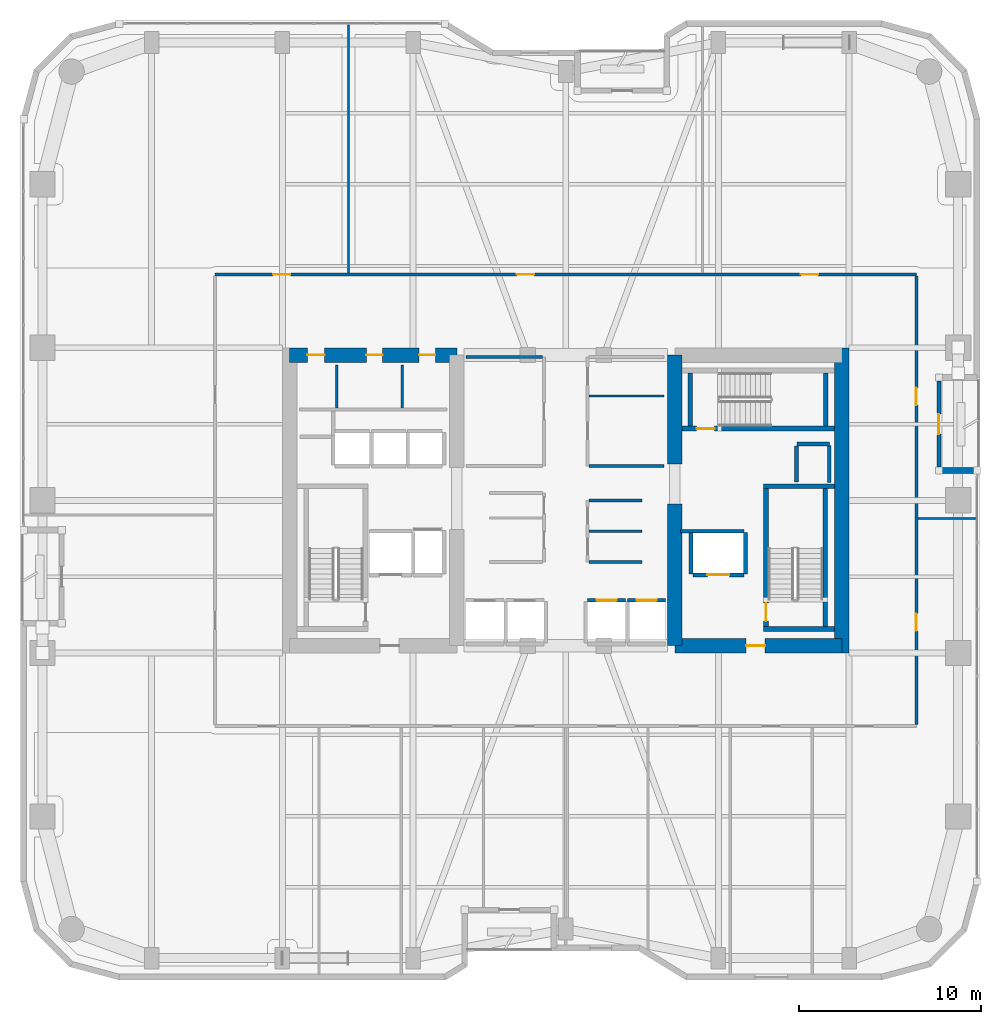
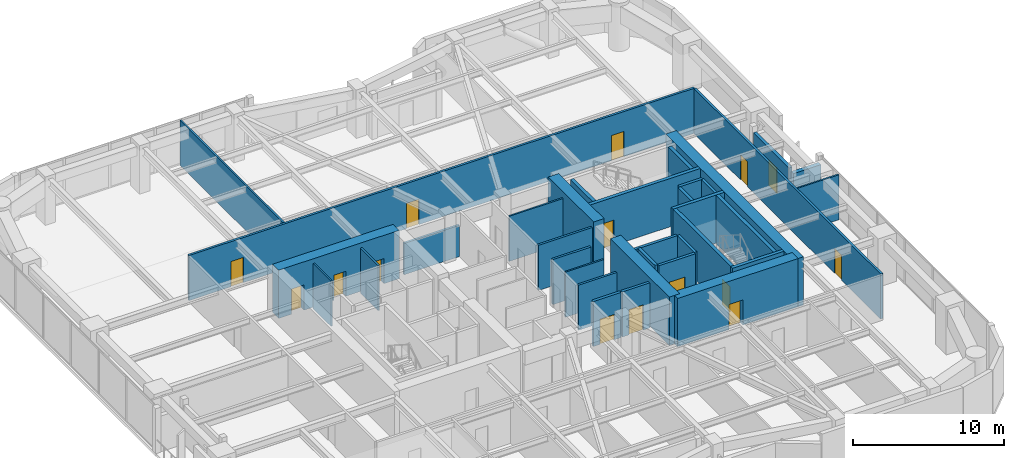
# One storey, part 20 of 24: 35 walls, 15 doors, 15 openings.
"""IFC4 building model written with IfcOpenShell, lengths in metres."""

from ifc_helpers import new_model, si_unit, direction, frame, frame_2d, origin, place, context, subcontext, project, spatial, rectangle, extrude, material, layer, layer_set, type_object, element, fill, save


model = new_model("IFC4")

# Units and contexts
model_context = context("Model", 3, precision=1e-05, world=origin(), true_north=direction((0.0, 1.0)))
body_context = subcontext(model_context, "Body", "Model", "MODEL_VIEW")
ifc_project = project(units=[si_unit("LENGTHUNIT", "METRE"), si_unit("AREAUNIT", "SQUARE_METRE"), si_unit("VOLUMEUNIT", "CUBIC_METRE"), si_unit("PLANEANGLEUNIT", "RADIAN"), si_unit("MASSUNIT", "GRAM", prefix="KILO")], contexts=[model_context])

# Site, building, storey
site_placement = place(None, origin())
site = spatial("IfcSite", under=ifc_project, at=site_placement, CompositionType="ELEMENT")
building_placement = place(site_placement, origin())
building = spatial("IfcBuilding", under=site, at=building_placement, Name="Kiyonajd Concourse Tower", CompositionType="ELEMENT")
storey_placement = place(building_placement, frame((0.0, 0.0, 113.10009765625)))
storey = spatial("IfcBuildingStorey", under=building, at=storey_placement, Name="L29", CompositionType="ELEMENT", Elevation=113.10009765625)

# Wall, openings, doors
ifc_material_1 = material(Name="Concrete C70/85", Category="concrete")
ifc_layer_1 = layer(ifc_material_1, 0.800048828125)
ifc_layer_set_1 = layer_set([ifc_layer_1], Name="Concrete C70/85")
wall_type_1 = type_object("IfcWallType", Name="WL-CORE-800", PredefinedType="SHEAR", material=ifc_layer_set_1)
wall_1_placement = place(storey_placement, frame((32.800048828125, 44.0, 0.0), z_axis=(0.0, 0.0, 1.0), x_axis=(1.0, 0.0, 0.0)))
wall_1 = element("IfcWall", 1, at=wall_1_placement, inside=storey, type_object=wall_type_1, Name="L29 West Core North Shear Wall", PredefinedType="SHEAR", context=body_context, shape_type="SweptSolid", body=[
    extrude(rectangle(XDim=9.199951171875, YDim=0.800048828125, at=frame_2d((4.60009765625, 0.0))), origin(), (0.0, 0.0, 1.0), 3.89990234375),
])
opening_1_placement = place(wall_1_placement, frame((0.97509765625, 0.0, 0.0)))
opening_1 = element("IfcOpeningElement", 2, at=opening_1_placement, cuts=wall_1, Name="Opening DI1", PredefinedType="OPENING", context=body_context, shape_type="SweptSolid", body=[
    extrude(rectangle(XDim=0.949951171875, YDim=2.0400390625, at=frame_2d((0.47509765625, 1.02001953125))), frame((0.0, 0.409912109375, 0.0), z_axis=(0.0, -1.0, 0.0), x_axis=(1.0, 0.0, 0.0)), (0.0, 0.0, 1.0), 0.820068359375),
])
opening_2_placement = place(wall_1_placement, frame((4.22509765625, 0.0, 0.0)))
opening_2 = element("IfcOpeningElement", 3, at=opening_2_placement, cuts=wall_1, Name="Opening DI2", PredefinedType="OPENING", context=body_context, shape_type="SweptSolid", body=[
    extrude(rectangle(XDim=0.89990234375, YDim=2.02001953125, at=frame_2d((0.449951171875, 1.010009765625))), frame((0.0, 0.409912109375, 0.0), z_axis=(0.0, -1.0, 0.0), x_axis=(1.0, 0.0, 0.0)), (0.0, 0.0, 1.0), 0.820068359375),
])
opening_3_placement = place(wall_1_placement, frame((7.125, 0.0, 0.0)))
opening_3 = element("IfcOpeningElement", 4, at=opening_3_placement, cuts=wall_1, Name="Opening DI2", PredefinedType="OPENING", context=body_context, shape_type="SweptSolid", body=[
    extrude(rectangle(XDim=0.89990234375, YDim=2.02001953125, at=frame_2d((0.449951171875, 1.010009765625))), frame((0.0, 0.409912109375, 0.0), z_axis=(0.0, -1.0, 0.0), x_axis=(1.0, 0.0, 0.0)), (0.0, 0.0, 1.0), 0.820068359375),
])
ifc_material_2 = material(Name="Natural Oak Acoustic Timber Veneer", Category="wood")
door_type_1 = type_object("IfcDoorType", Name="DR-INT-900", OperationType="NOTDEFINED", PredefinedType="DOOR", material=ifc_material_2)
door_1_placement = place(opening_2_placement, origin())
door_1 = element("IfcDoor", 5, at=door_1_placement, inside=storey, type_object=door_type_1, Name="L29 Male Restroom Door", OperationType="SINGLE_SWING_RIGHT", OverallHeight=2.02001953125, OverallWidth=0.89990234375, PredefinedType="DOOR", context=body_context, shape_type="SweptSolid", body=[
    extrude(rectangle(XDim=0.89990234375, YDim=2.02001953125, at=frame_2d((0.449951171875, 1.010009765625))), frame((0.0, 0.02490234375, 0.0), z_axis=(0.0, -1.0, 0.0), x_axis=(1.0, 0.0, 0.0)), (0.0, 0.0, 1.0), 0.050048828125),
])
fill(opening_2, door_1)
door_2_placement = place(opening_3_placement, origin())
door_2 = element("IfcDoor", 6, at=door_2_placement, inside=storey, type_object=door_type_1, Name="L29 Female Restroom Door", OperationType="SINGLE_SWING_LEFT", OverallHeight=2.02001953125, OverallWidth=0.89990234375, PredefinedType="DOOR", context=body_context, shape_type="SweptSolid", body=[
    extrude(rectangle(XDim=0.89990234375, YDim=2.02001953125, at=frame_2d((0.449951171875, 1.010009765625))), frame((0.0, 0.02490234375, 0.0), z_axis=(0.0, -1.0, 0.0), x_axis=(1.0, 0.0, 0.0)), (0.0, 0.0, 1.0), 0.050048828125),
])
fill(opening_3, door_2)
door_type_2 = type_object("IfcDoorType", Name="DR-INT-950", OperationType="NOTDEFINED", PredefinedType="DOOR", material=ifc_material_2)
door_3_placement = place(opening_1_placement, origin())
door_3 = element("IfcDoor", 7, at=door_3_placement, inside=storey, type_object=door_type_2, Name="L29 Single User Accessible WC Door", OperationType="SINGLE_SWING_LEFT", OverallHeight=2.0400390625, OverallWidth=0.949951171875, PredefinedType="DOOR", context=body_context, shape_type="SweptSolid", body=[
    extrude(rectangle(XDim=0.949951171875, YDim=2.0400390625, at=frame_2d((0.47509765625, 1.02001953125))), frame((0.0, 0.02490234375, 0.0), z_axis=(0.0, -1.0, 0.0), x_axis=(1.0, 0.0, 0.0)), (0.0, 0.0, 1.0), 0.050048828125),
])
fill(opening_1, door_3)

# Walls
wall_2_placement = place(storey_placement, frame((54.0, 28.0, 0.0), z_axis=(0.0, 0.0, 1.0), x_axis=(0.0, 1.0, 0.0)))
element("IfcWall", 8, at=wall_2_placement, inside=storey, type_object=wall_type_1, Name="L29 East Core Inner South Shear Wall", PredefinedType="SHEAR", context=body_context, shape_type="SweptSolid", body=[
    extrude(rectangle(XDim=7.800048828125, YDim=0.800048828125, at=frame_2d((3.89990234375, 0.0))), origin(), (0.0, 0.0, 1.0), 3.89990234375),
])
wall_3_placement = place(storey_placement, frame((54.0, 38.0, 0.0), z_axis=(0.0, 0.0, 1.0), x_axis=(0.0, 1.0, 0.0)))
element("IfcWall", 9, at=wall_3_placement, inside=storey, type_object=wall_type_1, Name="L29 East Core Inner North Shear Wall", PredefinedType="SHEAR", context=body_context, shape_type="SweptSolid", body=[
    extrude(rectangle(XDim=6.0, YDim=0.800048828125, at=frame_2d((3.0, 0.0))), origin(), (0.0, 0.0, 1.0), 3.89990234375),
])
wall_4_placement = place(storey_placement, frame((63.199951171875, 27.60009765625, 0.0), z_axis=(0.0, 0.0, 1.0), x_axis=(0.0, 1.0, 0.0)))
element("IfcWall", 10, at=wall_4_placement, inside=storey, type_object=wall_type_1, Name="L29 East Core Outer Shear Wall", PredefinedType="SHEAR", context=body_context, shape_type="SweptSolid", body=[
    extrude(rectangle(XDim=16.7998046875, YDim=0.800048828125, at=frame_2d((8.39990234375, 0.0))), origin(), (0.0, 0.0, 1.0), 3.89990234375),
])

# Wall, opening, door
wall_5_placement = place(storey_placement, frame((54.0, 28.0, 0.0), z_axis=(0.0, 0.0, 1.0), x_axis=(1.0, 0.0, 0.0)))
wall_5 = element("IfcWall", 11, at=wall_5_placement, inside=storey, type_object=wall_type_1, Name="L29 East Core South Shear Wall", PredefinedType="SHEAR", context=body_context, shape_type="SweptSolid", body=[
    extrude(rectangle(XDim=9.199951171875, YDim=0.800048828125, at=frame_2d((4.60009765625, 0.0))), origin(), (0.0, 0.0, 1.0), 3.89990234375),
])
opening_4_placement = place(wall_5_placement, frame((3.925048828125, 0.0, 0.0)))
opening_4 = element("IfcOpeningElement", 12, at=opening_4_placement, cuts=wall_5, Name="Opening DF5", PredefinedType="OPENING", context=body_context, shape_type="SweptSolid", body=[
    extrude(rectangle(XDim=1.050048828125, YDim=2.0400390625, at=frame_2d((0.52490234375, 1.02001953125))), frame((0.0, 0.409912109375, 0.0), z_axis=(0.0, -1.0, 0.0), x_axis=(1.0, 0.0, 0.0)), (0.0, 0.0, 1.0), 0.820068359375),
])
ifc_material_3 = material(Name="Brushed Stainless Steel Cab Assembly", Category="steel")
door_type_3 = type_object("IfcDoorType", Name="DR-FD45-1050", OperationType="NOTDEFINED", PredefinedType="DOOR", material=ifc_material_3)
door_4_placement = place(opening_4_placement, origin())
door_4 = element("IfcDoor", 13, at=door_4_placement, inside=storey, type_object=door_type_3, Name="L29 Firefighting Lift Lobby E Smoke Door", OperationType="SINGLE_SWING_RIGHT", OverallHeight=2.0400390625, OverallWidth=1.050048828125, PredefinedType="DOOR", context=body_context, shape_type="SweptSolid", body=[
    extrude(rectangle(XDim=1.050048828125, YDim=2.0400390625, at=frame_2d((0.52490234375, 1.02001953125))), frame((0.0, 0.02490234375, 0.0), z_axis=(0.0, -1.0, 0.0), x_axis=(1.0, 0.0, 0.0)), (0.0, 0.0, 1.0), 0.050048828125),
])
fill(opening_4, door_4)

# Wall
ifc_material_4 = material(Name="Precast concrete C50/60", Category="concrete")
ifc_layer_2 = layer(ifc_material_4, 0.320068359375)
ifc_layer_set_2 = layer_set([ifc_layer_2], Name="Precast concrete C50/60")
wall_type_2 = type_object("IfcWallType", Name="WL-EXT-320", PredefinedType="SOLIDWALL", material=ifc_layer_set_2)
wall_6_placement = place(storey_placement, frame((68.5400390625, 37.639892578125, 0.0), z_axis=(0.0, 0.0, 1.0), x_axis=(1.0, 0.0, 0.0)))
element("IfcWall", 14, at=wall_6_placement, inside=storey, type_object=wall_type_2, Name="L29 Exterior Concrete Frame Wall 23", PredefinedType="SOLIDWALL", context=body_context, shape_type="SweptSolid", body=[
    extrude(rectangle(XDim=2.099853515625, YDim=0.320068359375, at=frame_2d((1.0498046875, 0.0))), origin(), (0.0, 0.0, 1.0), 2.875),
])

# Wall, opening, door
ifc_layer_3 = layer(ifc_material_4, 0.239990234375)
ifc_layer_set_3 = layer_set([ifc_layer_3], Name="Precast concrete C50/60")
wall_type_3 = type_object("IfcWallType", Name="WL-LOG-240", PredefinedType="SOLIDWALL", material=ifc_layer_set_3)
wall_7_placement = place(storey_placement, frame((68.5400390625, 42.56494140625, 0.0), z_axis=(0.0, 0.0, 1.0), x_axis=(0.0, -1.0, 0.0)))
wall_7 = element("IfcWall", 15, at=wall_7_placement, inside=storey, type_object=wall_type_3, Name="L29 Recessed Loggia Thermal Wall LOG-E", PredefinedType="SOLIDWALL", context=body_context, shape_type="SweptSolid", body=[
    extrude(rectangle(XDim=4.72998046875, YDim=0.239990234375, at=frame_2d((2.364990234375, 0.0))), origin(), (0.0, 0.0, 1.0), 3.161865234375),
])
opening_5_placement = place(wall_7_placement, frame((1.81494140625, 0.0, 0.0)))
opening_5 = element("IfcOpeningElement", 16, at=opening_5_placement, cuts=wall_7, Name="Opening DL2", PredefinedType="OPENING", context=body_context, shape_type="SweptSolid", body=[
    extrude(rectangle(XDim=1.10009765625, YDim=2.0400390625, at=frame_2d((0.550048828125, 1.02001953125))), frame((0.0, 0.1298828125, 0.0), z_axis=(0.0, -1.0, 0.0), x_axis=(1.0, 0.0, 0.0)), (0.0, 0.0, 1.0), 0.260009765625),
])
ifc_material_5 = material(Name="Thermally Broken Anodised Aluminium", Category="aluminium")
door_type_4 = type_object("IfcDoorType", Name="DR-LOG-1100", OperationType="NOTDEFINED", PredefinedType="DOOR", material=ifc_material_5)
door_5_placement = place(opening_5_placement, origin())
door_5 = element("IfcDoor", 17, at=door_5_placement, inside=storey, type_object=door_type_4, Name="L29 Engawa Loggia Access Door LOG-E", OperationType="SINGLE_SWING_LEFT", OverallHeight=2.0400390625, OverallWidth=1.10009765625, PredefinedType="DOOR", context=body_context, shape_type="SweptSolid", body=[
    extrude(rectangle(XDim=1.10009765625, YDim=2.0400390625, at=frame_2d((0.550048828125, 1.02001953125))), frame((0.0, 0.02490234375, 0.0), z_axis=(0.0, -1.0, 0.0), x_axis=(1.0, 0.0, 0.0)), (0.0, 0.0, 1.0), 0.050048828125),
])
fill(opening_5, door_5)

# Walls
ifc_material_6 = material(Name="Gypsum Board on Cold-Formed Steel Stud", Category="steel")
ifc_layer_4 = layer(ifc_material_6, 0.125)
ifc_layer_set_4 = layer_set([ifc_layer_4], Name="Gypsum Board on Cold-Formed Steel Stud")
wall_type_4 = type_object("IfcWallType", Name="WL-PART-125", PredefinedType="PARTITIONING", material=ifc_layer_set_4)
for number, where, z_axis, x_axis, name in (
    (18, (35.39990234375, 41.094970703125, 0.0), (0.0, 0.0, 1.0), (0.0, 1.0, 0.0), "L29 Interior Partition Wall"),
    (19, (39.0, 41.094970703125, 0.0), (0.0, 0.0, 1.0), (0.0, 1.0, 0.0), "L29 Interior Partition Wall"),
):
    element("IfcWall", number, at=place(storey_placement, frame(where, z_axis=z_axis, x_axis=x_axis)), inside=storey, type_object=wall_type_4, Name=name, PredefinedType="PARTITIONING", context=body_context, shape_type="SweptSolid", body=[
        extrude(rectangle(XDim=2.35498046875, YDim=0.125, at=frame_2d((1.177490234375, 0.0))), origin(), (0.0, 0.0, 1.0), 3.639892578125),
    ])
wall_8_placement = place(storey_placement, frame((49.287109375, 34.300048828125, 0.0), z_axis=(0.0, 0.0, 1.0), x_axis=(1.0, 0.0, 0.0)))
element("IfcWall", 20, at=wall_8_placement, inside=storey, type_object=wall_type_4, Name="L29 Interior Partition Wall", PredefinedType="PARTITIONING", context=body_context, shape_type="SweptSolid", body=[
    extrude(rectangle(XDim=2.912841796875, YDim=0.125, at=frame_2d((1.45654296875, 0.0))), origin(), (0.0, 0.0, 1.0), 3.639892578125),
])
wall_9_placement = place(storey_placement, frame((49.287109375, 41.739990234375, 0.0), z_axis=(0.0, 0.0, 1.0), x_axis=(1.0, 0.0, 0.0)))
element("IfcWall", 21, at=wall_9_placement, inside=storey, type_object=wall_type_4, Name="L29 Interior Partition Wall", PredefinedType="PARTITIONING", context=body_context, shape_type="SweptSolid", body=[
    extrude(rectangle(XDim=4.11279296875, YDim=0.125, at=frame_2d((2.056396484375, 0.0))), origin(), (0.0, 0.0, 1.0), 3.639892578125),
])
wall_10_placement = place(storey_placement, frame((36.0400390625, 48.51708984375, 0.0), z_axis=(0.0, 0.0, 1.0), x_axis=(0.0, 1.0, 0.0)))
element("IfcWall", 22, at=wall_10_placement, inside=storey, type_object=wall_type_4, Name="L29 Interior Partition Wall", PredefinedType="PARTITIONING", context=body_context, shape_type="SweptSolid", body=[
    extrude(rectangle(XDim=13.637939453125, YDim=0.125, at=frame_2d((6.81884765625, 0.0))), origin(), (0.0, 0.0, 1.0), 3.639892578125),
])
wall_11_placement = place(storey_placement, frame((67.386962890625, 35.0, 0.0), z_axis=(0.0, 0.0, 1.0), x_axis=(1.0, 0.0, 0.0)))
element("IfcWall", 23, at=wall_11_placement, inside=storey, type_object=wall_type_4, Name="L29 Interior Partition Wall", PredefinedType="PARTITIONING", context=body_context, shape_type="SweptSolid", body=[
    extrude(rectangle(XDim=3.16796875, YDim=0.125, at=frame_2d((1.583984375, 0.0))), origin(), (0.0, 0.0, 1.0), 3.639892578125),
])
ifc_layer_5 = layer(ifc_material_6, 0.2099609375)
ifc_layer_set_5 = layer_set([ifc_layer_5], Name="Gypsum Board on Cold-Formed Steel Stud")
wall_type_5 = type_object("IfcWallType", Name="WL-SHAFT-210", PredefinedType="PARTITIONING", material=ifc_layer_set_5)
wall_12_placement = place(storey_placement, frame((60.719970703125, 39.10009765625, 0.0), z_axis=(0.0, 0.0, 1.0), x_axis=(1.0, 0.0, 0.0)))
element("IfcWall", 24, at=wall_12_placement, inside=storey, type_object=wall_type_5, Name="L29 Shaft Enclosure Wall", PredefinedType="PARTITIONING", context=body_context, shape_type="SweptSolid", body=[
    extrude(rectangle(XDim=1.800048828125, YDim=0.2099609375, at=frame_2d((0.89990234375, 0.0))), origin(), (0.0, 0.0, 1.0), 3.639892578125),
])
wall_13_placement = place(storey_placement, frame((60.699951171875, 37.02001953125, 0.0), z_axis=(0.0, 0.0, 1.0), x_axis=(0.0, 1.0, 0.0)))
element("IfcWall", 25, at=wall_13_placement, inside=storey, type_object=wall_type_5, Name="L29 Shaft Enclosure Wall", PredefinedType="PARTITIONING", context=body_context, shape_type="SweptSolid", body=[
    extrude(rectangle(XDim=1.9599609375, YDim=0.2099609375, at=frame_2d((0.97998046875, 0.0))), origin(), (0.0, 0.0, 1.0), 3.639892578125),
])
wall_14_placement = place(storey_placement, frame((62.5, 36.97998046875, 0.0), z_axis=(0.0, 0.0, 1.0), x_axis=(0.0, 1.0, 0.0)))
element("IfcWall", 26, at=wall_14_placement, inside=storey, type_object=wall_type_5, Name="L29 Shaft Enclosure Wall", PredefinedType="PARTITIONING", context=body_context, shape_type="SweptSolid", body=[
    extrude(rectangle(XDim=2.0400390625, YDim=0.2099609375, at=frame_2d((1.02001953125, 0.0))), origin(), (0.0, 0.0, 1.0), 3.639892578125),
])

# Wall, opening, door
wall_15_placement = place(storey_placement, frame((55.0, 31.89990234375, 0.0), z_axis=(0.0, 0.0, 1.0), x_axis=(1.0, 0.0, 0.0)))
wall_15 = element("IfcWall", 27, at=wall_15_placement, inside=storey, type_object=wall_type_5, Name="L29 Shaft Enclosure Wall", PredefinedType="PARTITIONING", context=body_context, shape_type="SweptSolid", body=[
    extrude(rectangle(XDim=2.800048828125, YDim=0.2099609375, at=frame_2d((1.39990234375, 0.0))), origin(), (0.0, 0.0, 1.0), 3.639892578125),
])
opening_6_placement = place(wall_15_placement, frame((0.800048828125, 0.0, 0.0)))
opening_6 = element("IfcOpeningElement", 28, at=opening_6_placement, cuts=wall_15, Name="Opening LD2", PredefinedType="OPENING", context=body_context, shape_type="SweptSolid", body=[
    extrude(rectangle(XDim=1.199951171875, YDim=2.0400390625, at=frame_2d((0.60009765625, 1.02001953125))), frame((0.0, 0.114990234375, 0.0), z_axis=(0.0, -1.0, 0.0), x_axis=(1.0, 0.0, 0.0)), (0.0, 0.0, 1.0), 0.22998046875),
])
door_type_5 = type_object("IfcDoorType", Name="DR-LD-1200", OperationType="DOUBLE_DOOR_SLIDING", PredefinedType="DOOR", material=ifc_material_3)
door_6_placement = place(opening_6_placement, origin())
door_6 = element("IfcDoor", 29, at=door_6_placement, inside=storey, type_object=door_type_5, Name="L29 Lift FFL2 Sliding Landing Door", OperationType="DOUBLE_DOOR_SLIDING", OverallHeight=2.0400390625, OverallWidth=1.199951171875, PredefinedType="DOOR", context=body_context, shape_type="SweptSolid", body=[
    extrude(rectangle(XDim=1.199951171875, YDim=2.0400390625, at=frame_2d((0.60009765625, 1.02001953125))), frame((0.0, 0.02490234375, 0.0), z_axis=(0.0, -1.0, 0.0), x_axis=(1.0, 0.0, 0.0)), (0.0, 0.0, 1.0), 0.050048828125),
])
fill(opening_6, door_6)

# Walls
wall_16_placement = place(storey_placement, frame((54.320068359375, 34.300048828125, 0.0), z_axis=(0.0, 0.0, 1.0), x_axis=(1.0, 0.0, 0.0)))
element("IfcWall", 30, at=wall_16_placement, inside=storey, type_object=wall_type_5, Name="L29 Shaft Enclosure Wall", PredefinedType="PARTITIONING", context=body_context, shape_type="SweptSolid", body=[
    extrude(rectangle(XDim=3.47998046875, YDim=0.2099609375, at=frame_2d((1.739990234375, 0.0))), origin(), (0.0, 0.0, 1.0), 3.639892578125),
])
for number, where, z_axis, x_axis, name in (
    (31, (54.89990234375, 31.9599609375, 0.0), (0.0, 0.0, 1.0), (0.0, 1.0, 0.0), "L29 Shaft Enclosure Wall"),
    (32, (57.89990234375, 31.9599609375, 0.0), (0.0, 0.0, 1.0), (0.0, 1.0, 0.0), "L29 Shaft Enclosure Wall"),
):
    element("IfcWall", number, at=place(storey_placement, frame(where, z_axis=z_axis, x_axis=x_axis)), inside=storey, type_object=wall_type_5, Name=name, PredefinedType="PARTITIONING", context=body_context, shape_type="SweptSolid", body=[
        extrude(rectangle(XDim=2.280029296875, YDim=0.2099609375, at=frame_2d((1.14013671875, 0.0))), origin(), (0.0, 0.0, 1.0), 3.639892578125),
    ])

# Wall, opening, door
wall_17_placement = place(storey_placement, frame((49.199951171875, 30.5, 0.0), z_axis=(0.0, 0.0, 1.0), x_axis=(1.0, 0.0, 0.0)))
wall_17 = element("IfcWall", 33, at=wall_17_placement, inside=storey, type_object=wall_type_5, Name="L29 Shaft Enclosure Wall", PredefinedType="PARTITIONING", context=body_context, shape_type="SweptSolid", body=[
    extrude(rectangle(XDim=2.10009765625, YDim=0.2099609375, at=frame_2d((1.050048828125, 0.0))), origin(), (0.0, 0.0, 1.0), 3.639892578125),
])
opening_7_placement = place(wall_17_placement, frame((0.5, 0.0, 0.0)))
opening_7 = element("IfcOpeningElement", 34, at=opening_7_placement, cuts=wall_17, Name="Opening LD1", PredefinedType="OPENING", context=body_context, shape_type="SweptSolid", body=[
    extrude(rectangle(XDim=1.10009765625, YDim=2.0400390625, at=frame_2d((0.550048828125, 1.02001953125))), frame((0.0, 0.114990234375, 0.0), z_axis=(0.0, -1.0, 0.0), x_axis=(1.0, 0.0, 0.0)), (0.0, 0.0, 1.0), 0.22998046875),
])
door_type_6 = type_object("IfcDoorType", Name="DR-LD-1100", OperationType="DOUBLE_DOOR_SLIDING", PredefinedType="DOOR", material=ifc_material_3)
door_7_placement = place(opening_7_placement, origin())
door_7 = element("IfcDoor", 35, at=door_7_placement, inside=storey, type_object=door_type_6, Name="L29 Lift PL-L3 Sliding Landing Door", OperationType="DOUBLE_DOOR_SLIDING", OverallHeight=2.0400390625, OverallWidth=1.10009765625, PredefinedType="DOOR", context=body_context, shape_type="SweptSolid", body=[
    extrude(rectangle(XDim=1.10009765625, YDim=2.0400390625, at=frame_2d((0.550048828125, 1.02001953125))), frame((0.0, 0.02490234375, 0.0), z_axis=(0.0, -1.0, 0.0), x_axis=(1.0, 0.0, 0.0)), (0.0, 0.0, 1.0), 0.050048828125),
])
fill(opening_7, door_7)

wall_18_placement = place(storey_placement, frame((51.39990234375, 30.5, 0.0), z_axis=(0.0, 0.0, 1.0), x_axis=(1.0, 0.0, 0.0)))
wall_18 = element("IfcWall", 36, at=wall_18_placement, inside=storey, type_object=wall_type_5, Name="L29 Shaft Enclosure Wall", PredefinedType="PARTITIONING", context=body_context, shape_type="SweptSolid", body=[
    extrude(rectangle(XDim=2.10009765625, YDim=0.2099609375, at=frame_2d((1.050048828125, 0.0))), origin(), (0.0, 0.0, 1.0), 3.639892578125),
])
opening_8_placement = place(wall_18_placement, frame((0.5, 0.0, 0.0)))
opening_8 = element("IfcOpeningElement", 37, at=opening_8_placement, cuts=wall_18, Name="Opening LD1", PredefinedType="OPENING", context=body_context, shape_type="SweptSolid", body=[
    extrude(rectangle(XDim=1.10009765625, YDim=2.0400390625, at=frame_2d((0.550048828125, 1.02001953125))), frame((0.0, 0.114990234375, 0.0), z_axis=(0.0, -1.0, 0.0), x_axis=(1.0, 0.0, 0.0)), (0.0, 0.0, 1.0), 0.22998046875),
])
door_8_placement = place(opening_8_placement, origin())
door_8 = element("IfcDoor", 38, at=door_8_placement, inside=storey, type_object=door_type_6, Name="L29 Lift PL-L4 Sliding Landing Door", OperationType="DOUBLE_DOOR_SLIDING", OverallHeight=2.0400390625, OverallWidth=1.10009765625, PredefinedType="DOOR", context=body_context, shape_type="SweptSolid", body=[
    extrude(rectangle(XDim=1.10009765625, YDim=2.0400390625, at=frame_2d((0.550048828125, 1.02001953125))), frame((0.0, 0.02490234375, 0.0), z_axis=(0.0, -1.0, 0.0), x_axis=(1.0, 0.0, 0.0)), (0.0, 0.0, 1.0), 0.050048828125),
])
fill(opening_8, door_8)

# Walls
ifc_layer_6 = layer(ifc_material_6, 0.169921875)
ifc_layer_set_6 = layer_set([ifc_layer_6], Name="Gypsum Board on Cold-Formed Steel Stud")
wall_type_6 = type_object("IfcWallType", Name="WL-SMK-170", PredefinedType="PARTITIONING", material=ifc_layer_set_6)
for number, where, z_axis, x_axis, name in (
    (39, (49.287109375, 32.60009765625, 0.0), (0.0, 0.0, 1.0), (1.0, 0.0, 0.0), "L29 Interior Partition Wall"),
    (40, (49.287109375, 36.0, 0.0), (0.0, 0.0, 1.0), (1.0, 0.0, 0.0), "L29 Interior Partition Wall"),
):
    element("IfcWall", number, at=place(storey_placement, frame(where, z_axis=z_axis, x_axis=x_axis)), inside=storey, type_object=wall_type_6, Name=name, PredefinedType="PARTITIONING", context=body_context, shape_type="SweptSolid", body=[
        extrude(rectangle(XDim=2.912841796875, YDim=0.169921875, at=frame_2d((1.45654296875, 0.0))), origin(), (0.0, 0.0, 1.0), 3.639892578125),
    ])
wall_19_placement = place(storey_placement, frame((42.5, 43.89990234375, 0.0), z_axis=(0.0, 0.0, 1.0), x_axis=(1.0, 0.0, 0.0)))
element("IfcWall", 41, at=wall_19_placement, inside=storey, type_object=wall_type_6, Name="L29 Interior Partition Wall", PredefinedType="PARTITIONING", context=body_context, shape_type="SweptSolid", body=[
    extrude(rectangle(XDim=4.212890625, YDim=0.169921875, at=frame_2d((2.1064453125, 0.0))), origin(), (0.0, 0.0, 1.0), 2.52490234375),
])
wall_20_placement = place(storey_placement, frame((49.287109375, 37.89990234375, 0.0), z_axis=(0.0, 0.0, 1.0), x_axis=(1.0, 0.0, 0.0)))
element("IfcWall", 42, at=wall_20_placement, inside=storey, type_object=wall_type_6, Name="L29 Interior Partition Wall", PredefinedType="PARTITIONING", context=body_context, shape_type="SweptSolid", body=[
    extrude(rectangle(XDim=4.11279296875, YDim=0.169921875, at=frame_2d((2.056396484375, 0.0))), origin(), (0.0, 0.0, 1.0), 3.639892578125),
])

# Wall, openings, doors
wall_21_placement = place(storey_placement, frame((28.699951171875, 48.429931640625, 0.0), z_axis=(0.0, 0.0, 1.0), x_axis=(1.0, 0.0, 0.0)))
wall_21 = element("IfcWall", 43, at=wall_21_placement, inside=storey, type_object=wall_type_6, Name="L29 Interior Partition Wall", PredefinedType="PARTITIONING", context=body_context, shape_type="SweptSolid", body=[
    extrude(rectangle(XDim=38.60009765625, YDim=0.169921875, at=frame_2d((19.300048828125, 0.0))), origin(), (0.0, 0.0, 1.0), 3.639892578125),
])
opening_9_placement = place(wall_21_placement, frame((3.195068359375, 0.0, 0.0)))
opening_9 = element("IfcOpeningElement", 44, at=opening_9_placement, cuts=wall_21, Name="Opening DI1", PredefinedType="OPENING", context=body_context, shape_type="SweptSolid", body=[
    extrude(rectangle(XDim=0.949951171875, YDim=2.0400390625, at=frame_2d((0.47509765625, 1.02001953125))), frame((0.0, 0.094970703125, 0.0), z_axis=(0.0, -1.0, 0.0), x_axis=(1.0, 0.0, 0.0)), (0.0, 0.0, 1.0), 0.18994140625),
])
opening_10_placement = place(wall_21_placement, frame((16.60498046875, 0.0, 0.0)))
opening_10 = element("IfcOpeningElement", 45, at=opening_10_placement, cuts=wall_21, Name="Opening DI1", PredefinedType="OPENING", context=body_context, shape_type="SweptSolid", body=[
    extrude(rectangle(XDim=0.949951171875, YDim=2.0400390625, at=frame_2d((0.47509765625, 1.02001953125))), frame((0.0, 0.094970703125, 0.0), z_axis=(0.0, -1.0, 0.0), x_axis=(1.0, 0.0, 0.0)), (0.0, 0.0, 1.0), 0.18994140625),
])
opening_11_placement = place(wall_21_placement, frame((32.235107421875, 0.0, 0.0)))
opening_11 = element("IfcOpeningElement", 46, at=opening_11_placement, cuts=wall_21, Name="Opening DI1", PredefinedType="OPENING", context=body_context, shape_type="SweptSolid", body=[
    extrude(rectangle(XDim=0.949951171875, YDim=2.0400390625, at=frame_2d((0.47509765625, 1.02001953125))), frame((0.0, 0.094970703125, 0.0), z_axis=(0.0, -1.0, 0.0), x_axis=(1.0, 0.0, 0.0)), (0.0, 0.0, 1.0), 0.18994140625),
])
door_9_placement = place(opening_9_placement, origin())
door_9 = element("IfcDoor", 47, at=door_9_placement, inside=storey, type_object=door_type_2, Name="L29 Interior Door", OperationType="SINGLE_SWING_RIGHT", OverallHeight=2.0400390625, OverallWidth=0.949951171875, PredefinedType="DOOR", context=body_context, shape_type="SweptSolid", body=[
    extrude(rectangle(XDim=0.949951171875, YDim=2.0400390625, at=frame_2d((0.47509765625, 1.02001953125))), frame((0.0, 0.02490234375, 0.0), z_axis=(0.0, -1.0, 0.0), x_axis=(1.0, 0.0, 0.0)), (0.0, 0.0, 1.0), 0.050048828125),
])
fill(opening_9, door_9)
door_10_placement = place(opening_10_placement, origin())
door_10 = element("IfcDoor", 48, at=door_10_placement, inside=storey, type_object=door_type_2, Name="L29 Interior Door", OperationType="SINGLE_SWING_LEFT", OverallHeight=2.0400390625, OverallWidth=0.949951171875, PredefinedType="DOOR", context=body_context, shape_type="SweptSolid", body=[
    extrude(rectangle(XDim=0.949951171875, YDim=2.0400390625, at=frame_2d((0.47509765625, 1.02001953125))), frame((0.0, 0.02490234375, 0.0), z_axis=(0.0, -1.0, 0.0), x_axis=(1.0, 0.0, 0.0)), (0.0, 0.0, 1.0), 0.050048828125),
])
fill(opening_10, door_10)
door_11_placement = place(opening_11_placement, origin())
door_11 = element("IfcDoor", 49, at=door_11_placement, inside=storey, type_object=door_type_2, Name="L29 Interior Door", OperationType="SINGLE_SWING_RIGHT", OverallHeight=2.0400390625, OverallWidth=0.949951171875, PredefinedType="DOOR", context=body_context, shape_type="SweptSolid", body=[
    extrude(rectangle(XDim=0.949951171875, YDim=2.0400390625, at=frame_2d((0.47509765625, 1.02001953125))), frame((0.0, 0.02490234375, 0.0), z_axis=(0.0, -1.0, 0.0), x_axis=(1.0, 0.0, 0.0)), (0.0, 0.0, 1.0), 0.050048828125),
])
fill(opening_11, door_11)

wall_22_placement = place(storey_placement, frame((67.300048828125, 23.656982421875, 0.0), z_axis=(0.0, 0.0, 1.0), x_axis=(0.0, 1.0, 0.0)))
wall_22 = element("IfcWall", 50, at=wall_22_placement, inside=storey, type_object=wall_type_6, Name="L29 Interior Partition Wall", PredefinedType="PARTITIONING", context=body_context, shape_type="SweptSolid", body=[
    extrude(rectangle(XDim=24.68603515625, YDim=0.169921875, at=frame_2d((12.343017578125, 0.0))), origin(), (0.0, 0.0, 1.0), 3.639892578125),
])
opening_12_placement = place(wall_22_placement, frame((5.153076171875, 0.0, 0.0)))
opening_12 = element("IfcOpeningElement", 51, at=opening_12_placement, cuts=wall_22, Name="Opening DI1", PredefinedType="OPENING", context=body_context, shape_type="SweptSolid", body=[
    extrude(rectangle(XDim=0.949951171875, YDim=2.0400390625, at=frame_2d((0.47509765625, 1.02001953125))), frame((0.0, 0.094970703125, 0.0), z_axis=(0.0, -1.0, 0.0), x_axis=(1.0, 0.0, 0.0)), (0.0, 0.0, 1.0), 0.18994140625),
])
opening_13_placement = place(wall_22_placement, frame((17.5830078125, 0.0, 0.0)))
opening_13 = element("IfcOpeningElement", 52, at=opening_13_placement, cuts=wall_22, Name="Opening DI1", PredefinedType="OPENING", context=body_context, shape_type="SweptSolid", body=[
    extrude(rectangle(XDim=0.949951171875, YDim=2.0400390625, at=frame_2d((0.47509765625, 1.02001953125))), frame((0.0, 0.094970703125, 0.0), z_axis=(0.0, -1.0, 0.0), x_axis=(1.0, 0.0, 0.0)), (0.0, 0.0, 1.0), 0.18994140625),
])
door_12_placement = place(opening_12_placement, origin())
door_12 = element("IfcDoor", 53, at=door_12_placement, inside=storey, type_object=door_type_2, Name="L29 Interior Door", OperationType="SINGLE_SWING_LEFT", OverallHeight=2.0400390625, OverallWidth=0.949951171875, PredefinedType="DOOR", context=body_context, shape_type="SweptSolid", body=[
    extrude(rectangle(XDim=0.949951171875, YDim=2.0400390625, at=frame_2d((0.47509765625, 1.02001953125))), frame((0.0, 0.02490234375, 0.0), z_axis=(0.0, -1.0, 0.0), x_axis=(1.0, 0.0, 0.0)), (0.0, 0.0, 1.0), 0.050048828125),
])
fill(opening_12, door_12)
door_13_placement = place(opening_13_placement, origin())
door_13 = element("IfcDoor", 54, at=door_13_placement, inside=storey, type_object=door_type_2, Name="L29 Interior Door", OperationType="SINGLE_SWING_RIGHT", OverallHeight=2.0400390625, OverallWidth=0.949951171875, PredefinedType="DOOR", context=body_context, shape_type="SweptSolid", body=[
    extrude(rectangle(XDim=0.949951171875, YDim=2.0400390625, at=frame_2d((0.47509765625, 1.02001953125))), frame((0.0, 0.02490234375, 0.0), z_axis=(0.0, -1.0, 0.0), x_axis=(1.0, 0.0, 0.0)), (0.0, 0.0, 1.0), 0.050048828125),
])
fill(opening_13, door_13)

# Walls
ifc_material_7 = material(Name="Concrete C50/60", Category="concrete")
ifc_layer_7 = layer(ifc_material_7, 0.260009765625)
ifc_layer_set_7 = layer_set([ifc_layer_7], Name="Concrete C50/60")
wall_type_7 = type_object("IfcWallType", Name="WL-STAIR-260", PredefinedType="SHEAR", material=ifc_layer_set_7)
for number, where, z_axis, x_axis, name in (
    (55, (58.889892578125, 28.919921875, 0.0), (0.0, 0.0, 1.0), (1.0, 0.0, 0.0), "L29 Stair ST2 Structural South Wall"),
    (56, (58.889892578125, 36.780029296875, 0.0), (0.0, 0.0, 1.0), (1.0, 0.0, 0.0), "L29 Stair ST2 Structural North Wall"),
):
    element("IfcWall", number, at=place(storey_placement, frame(where, z_axis=z_axis, x_axis=x_axis)), inside=storey, type_object=wall_type_7, Name=name, PredefinedType="SHEAR", context=body_context, shape_type="SweptSolid", body=[
        extrude(rectangle(XDim=3.91015625, YDim=0.260009765625, at=frame_2d((1.955078125, 0.0))), origin(), (0.0, 0.0, 1.0), 3.89990234375),
    ])

# Wall, opening, door
wall_23_placement = place(storey_placement, frame((59.02001953125, 29.050048828125, 0.0), z_axis=(0.0, 0.0, 1.0), x_axis=(0.0, 1.0, 0.0)))
wall_23 = element("IfcWall", 57, at=wall_23_placement, inside=storey, type_object=wall_type_7, Name="L29 Stair ST2 Structural West Wall", PredefinedType="SHEAR", context=body_context, shape_type="SweptSolid", body=[
    extrude(rectangle(XDim=7.599853515625, YDim=0.260009765625, at=frame_2d((3.7998046875, 0.0))), origin(), (0.0, 0.0, 1.0), 3.89990234375),
])
opening_14_placement = place(wall_23_placement, frame((0.300048828125, 0.0, 0.0)))
opening_14 = element("IfcOpeningElement", 58, at=opening_14_placement, cuts=wall_23, Name="Opening DF1", PredefinedType="OPENING", context=body_context, shape_type="SweptSolid", body=[
    extrude(rectangle(XDim=1.0, YDim=2.0400390625, at=frame_2d((0.5, 1.02001953125))), frame((0.0, 0.139892578125, 0.0), z_axis=(0.0, -1.0, 0.0), x_axis=(1.0, 0.0, 0.0)), (0.0, 0.0, 1.0), 0.280029296875),
])
door_type_7 = type_object("IfcDoorType", Name="DR-FD90-1000", OperationType="NOTDEFINED", PredefinedType="DOOR", material=ifc_material_3)
door_14_placement = place(opening_14_placement, origin())
door_14 = element("IfcDoor", 59, at=door_14_placement, inside=storey, type_object=door_type_7, Name="L29 Stair ST2 FSAE Door", OperationType="SINGLE_SWING_RIGHT", OverallHeight=2.0400390625, OverallWidth=1.0, PredefinedType="DOOR", context=body_context, shape_type="SweptSolid", body=[
    extrude(rectangle(XDim=1.0, YDim=2.0400390625, at=frame_2d((0.5, 1.02001953125))), frame((0.0, 0.02490234375, 0.0), z_axis=(0.0, -1.0, 0.0), x_axis=(1.0, 0.0, 0.0)), (0.0, 0.0, 1.0), 0.050048828125),
])
fill(opening_14, door_14)

# Wall
wall_24_placement = place(storey_placement, frame((62.280029296875, 29.050048828125, 0.0), z_axis=(0.0, 0.0, 1.0), x_axis=(0.0, 1.0, 0.0)))
element("IfcWall", 60, at=wall_24_placement, inside=storey, type_object=wall_type_7, Name="L29 Stair ST2 Structural East Wall", PredefinedType="SHEAR", context=body_context, shape_type="SweptSolid", body=[
    extrude(rectangle(XDim=7.599853515625, YDim=0.260009765625, at=frame_2d((3.7998046875, 0.0))), origin(), (0.0, 0.0, 1.0), 3.89990234375),
])

# Wall, opening, door
wall_25_placement = place(storey_placement, frame((54.39990234375, 39.949951171875, 0.0), z_axis=(0.0, 0.0, 1.0), x_axis=(1.0, 0.0, 0.0)))
wall_25 = element("IfcWall", 61, at=wall_25_placement, inside=storey, type_object=wall_type_7, Name="L29 Stair ST3 Structural South Wall", PredefinedType="SHEAR", context=body_context, shape_type="SweptSolid", body=[
    extrude(rectangle(XDim=8.400146484375, YDim=0.260009765625, at=frame_2d((4.2001953125, 0.0))), origin(), (0.0, 0.0, 1.0), 3.89990234375),
])
opening_15_placement = place(wall_25_placement, frame((0.800048828125, 0.0, 0.0)))
opening_15 = element("IfcOpeningElement", 62, at=opening_15_placement, cuts=wall_25, Name="Opening DF1", PredefinedType="OPENING", context=body_context, shape_type="SweptSolid", body=[
    extrude(rectangle(XDim=1.0, YDim=2.0400390625, at=frame_2d((0.5, 1.02001953125))), frame((0.0, 0.139892578125, 0.0), z_axis=(0.0, -1.0, 0.0), x_axis=(1.0, 0.0, 0.0)), (0.0, 0.0, 1.0), 0.280029296875),
])
door_15_placement = place(opening_15_placement, origin())
door_15 = element("IfcDoor", 63, at=door_15_placement, inside=storey, type_object=door_type_7, Name="L29 Stair ST3 Enclosure Door", OperationType="SINGLE_SWING_LEFT", OverallHeight=2.0400390625, OverallWidth=1.0, PredefinedType="DOOR", context=body_context, shape_type="SweptSolid", body=[
    extrude(rectangle(XDim=1.0, YDim=2.0400390625, at=frame_2d((0.5, 1.02001953125))), frame((0.0, 0.02490234375, 0.0), z_axis=(0.0, -1.0, 0.0), x_axis=(1.0, 0.0, 0.0)), (0.0, 0.0, 1.0), 0.050048828125),
])
fill(opening_15, door_15)

# Walls
for number, where, z_axis, x_axis, name in (
    (64, (54.85009765625, 40.080078125, 0.0), (0.0, 0.0, 1.0), (0.0, 1.0, 0.0), "L29 Stair ST3 Structural West Wall"),
    (65, (62.31005859375, 40.080078125, 0.0), (0.0, 0.0, 1.0), (0.0, 1.0, 0.0), "L29 Stair ST3 Structural East Wall"),
):
    element("IfcWall", number, at=place(storey_placement, frame(where, z_axis=z_axis, x_axis=x_axis)), inside=storey, type_object=wall_type_7, Name=name, PredefinedType="SHEAR", context=body_context, shape_type="SweptSolid", body=[
        extrude(rectangle(XDim=2.93994140625, YDim=0.260009765625, at=frame_2d((1.469970703125, 0.0))), origin(), (0.0, 0.0, 1.0), 3.89990234375),
    ])

save(model, "model.ifc")
